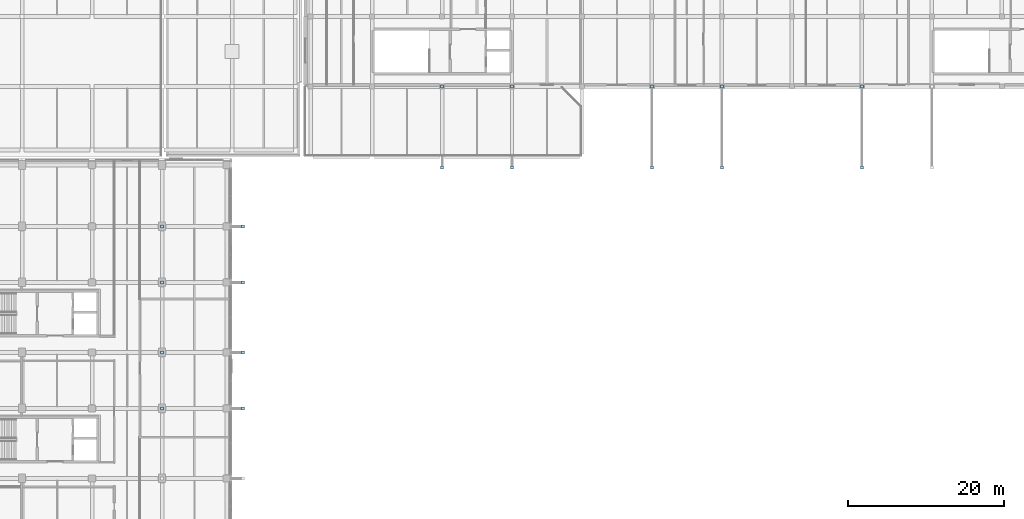
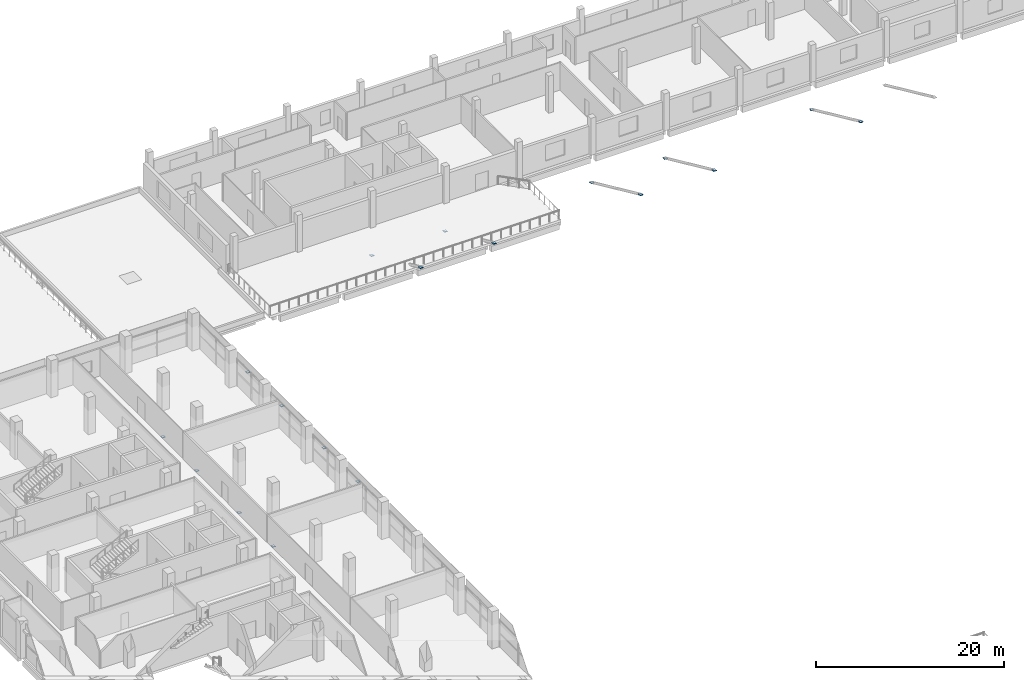
# One storey, part 43 of 82: 18 plates.
"""IFC4 building model written with IfcOpenShell, lengths in metres."""

from ifc_helpers import new_model, si_unit, direction, frame, origin, origin_2d, place, context, subcontext, project, spatial, rectangle, extrude, material, layer, layer_set, type_object, element, save


model = new_model("IFC4")

# Units and contexts
model_context = context("Model", 3, precision=1e-05, world=origin(), true_north=direction((0.0, 1.0)))
body_context = subcontext(model_context, "Body", "Model", "MODEL_VIEW")
ifc_project = project(units=[si_unit("LENGTHUNIT", "METRE"), si_unit("AREAUNIT", "SQUARE_METRE"), si_unit("VOLUMEUNIT", "CUBIC_METRE"), si_unit("PLANEANGLEUNIT", "RADIAN"), si_unit("MASSUNIT", "GRAM", prefix="KILO"), si_unit("THERMODYNAMICTEMPERATUREUNIT", "KELVIN"), si_unit("POWERUNIT", "WATT")], contexts=[model_context])

# Site, building, storey
site_placement = place(None, origin())
site = spatial("IfcSite", under=ifc_project, at=site_placement, CompositionType="ELEMENT")
building_placement = place(site_placement, origin())
building = spatial("IfcBuilding", under=site, at=building_placement, Name="Sindhuravela Promenade Stadium", CompositionType="ELEMENT")
storey_placement = place(building_placement, frame((0.0, 0.0, 14.39990234375)))
storey = spatial("IfcBuildingStorey", under=building, at=storey_placement, Name="L03", CompositionType="ELEMENT", Elevation=14.39990234375)

# Plates
ifc_material = material(Name="Steel E350 (IS 2062 E350BR)", Category="steel")
ifc_layer = layer(ifc_material, 0.033935546875)
ifc_layer_set = layer_set([ifc_layer], Name="Steel E350 (IS 2062 E350BR)")
plate_type = type_object("IfcPlateType", Name="ST-PL-CAP34", PredefinedType="USERDEFINED", material=ifc_layer_set)
for number, where, z_axis, x_axis, name in (
    (1, (36.0, 93.60009765625, -3.81689453125), (0.0, 0.0, 1.0), (1.0, 0.0, 0.0), "Hollow strut end cap plate CP02 25A"),
    (2, (46.39990234375, 93.60009765625, 0.93310546875), (0.0, 0.0, 1.0), (1.0, 0.0, 0.0), "Hollow strut end cap plate CP02 26B"),
    (3, (36.0, 100.800048828125, -3.81689453125), (0.0, 0.0, 1.0), (1.0, 0.0, 0.0), "Hollow strut end cap plate CP02 29A"),
    (4, (46.39990234375, 100.800048828125, 0.93310546875), (0.0, 0.0, 1.0), (1.0, 0.0, 0.0), "Hollow strut end cap plate CP02 30B"),
    (5, (36.0, 109.800048828125, -3.81689453125), (0.0, 0.0, 1.0), (1.0, 0.0, 0.0), "Hollow strut end cap plate CP02 33A"),
    (6, (46.39990234375, 109.800048828125, 0.93310546875), (0.0, 0.0, 1.0), (1.0, 0.0, 0.0), "Hollow strut end cap plate CP02 34B"),
    (7, (36.0, 117.0, -3.81689453125), (0.0, 0.0, 1.0), (1.0, 0.0, 0.0), "Hollow strut end cap plate CP02 37A"),
    (8, (46.39990234375, 117.0, 0.93310546875), (0.0, 0.0, 1.0), (1.0, 0.0, 0.0), "Hollow strut end cap plate CP02 38B"),
    (9, (72.0, 135.0, -3.81689453125), (0.0, 0.0, 1.0), (1.0, 0.0, 0.0), "Hollow strut end cap plate CP02 43A"),
    (10, (72.0, 124.60009765625, 0.93310546875), (0.0, 0.0, 1.0), (1.0, 0.0, 0.0), "Hollow strut end cap plate CP02 44B"),
    (11, (81.0, 135.0, -3.81689453125), (0.0, 0.0, 1.0), (1.0, 0.0, 0.0), "Hollow strut end cap plate CP02 47A"),
    (12, (81.0, 124.60009765625, 0.93310546875), (0.0, 0.0, 1.0), (1.0, 0.0, 0.0), "Hollow strut end cap plate CP02 48B"),
    (13, (99.0, 135.0, -3.81689453125), (0.0, 0.0, 1.0), (1.0, 0.0, 0.0), "Hollow strut end cap plate CP02 51A"),
    (14, (99.0, 124.60009765625, 0.93310546875), (0.0, 0.0, 1.0), (1.0, 0.0, 0.0), "Hollow strut end cap plate CP02 52B"),
    (15, (108.0, 135.0, -3.81689453125), (0.0, 0.0, 1.0), (1.0, 0.0, 0.0), "Hollow strut end cap plate CP02 55A"),
    (16, (108.0, 124.60009765625, 0.93310546875), (0.0, 0.0, 1.0), (1.0, 0.0, 0.0), "Hollow strut end cap plate CP02 56B"),
    (17, (126.0, 135.0, -3.81689453125), (0.0, 0.0, 1.0), (1.0, 0.0, 0.0), "Hollow strut end cap plate CP02 59A"),
    (18, (126.0, 124.60009765625, 0.93310546875), (0.0, 0.0, 1.0), (1.0, 0.0, 0.0), "Hollow strut end cap plate CP02 60B"),
):
    element("IfcPlate", number, at=place(storey_placement, frame(where, z_axis=z_axis, x_axis=x_axis)), inside=storey, type_object=plate_type, Name=name, ObjectType="GUSSET PLATE", PredefinedType="USERDEFINED", context=body_context, shape_type="SweptSolid", body=[
        extrude(rectangle(XDim=0.3798828125, YDim=0.3798828125, at=origin_2d()), origin(), (0.0, 0.0, 1.0), 0.033935546875),
    ])

save(model, "model.ifc")
